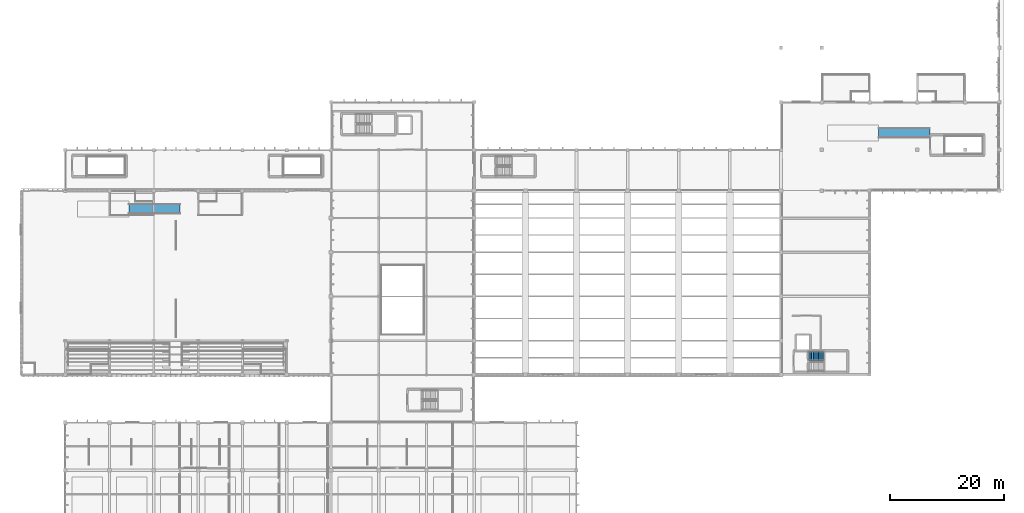
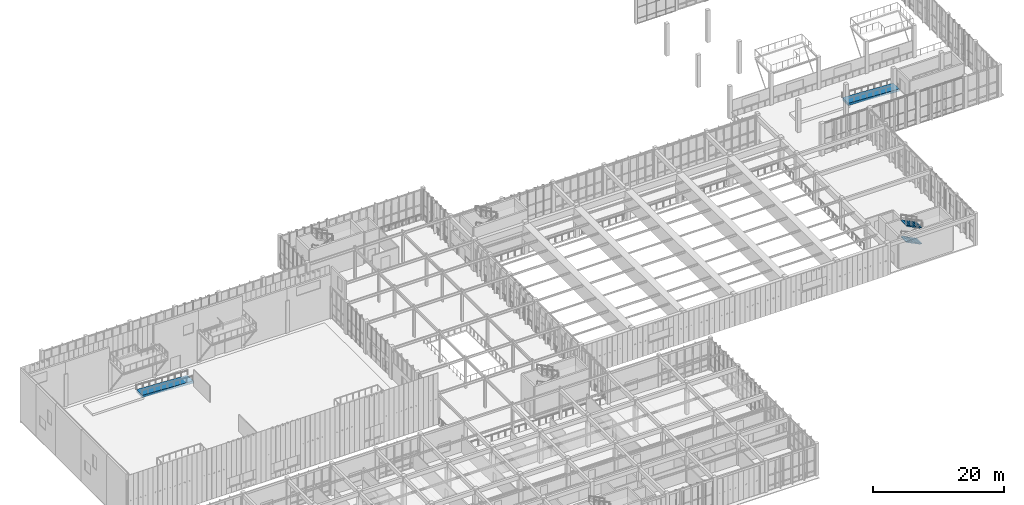
# One storey, part 79 of 105: 2 ramp flights, 2 stair flights, 3 elements without a shape of their own.
"""IFC4 building model written with IfcOpenShell, lengths in metres."""

from ifc_helpers import new_model, si_unit, direction, frame, origin, place, context, subcontext, project, spatial, polyline, outline, extrude, material, layer, layer_set, type_object, element, aggregate, save


model = new_model("IFC4")

# Units and contexts
model_context = context("Model", 3, precision=1e-05, world=origin(), true_north=direction((0.0, 1.0)))
body_context = subcontext(model_context, "Body", "Model", "MODEL_VIEW")
ifc_project = project(units=[si_unit("LENGTHUNIT", "METRE"), si_unit("AREAUNIT", "SQUARE_METRE"), si_unit("VOLUMEUNIT", "CUBIC_METRE"), si_unit("PLANEANGLEUNIT", "RADIAN"), si_unit("MASSUNIT", "GRAM", prefix="KILO")], contexts=[model_context])

# Site, building, storey
site_placement = place(None, origin())
site = spatial("IfcSite", under=ifc_project, at=site_placement, CompositionType="ELEMENT")
building_placement = place(site_placement, origin())
building = spatial("IfcBuilding", under=site, at=building_placement, Name="Tizgana Railside Sports Hall", CompositionType="ELEMENT")
storey_placement = place(building_placement, frame((0.0, 0.0, 6.0)))
storey = spatial("IfcBuildingStorey", under=building, at=storey_placement, Name="L01", CompositionType="ELEMENT", Elevation=6.0)

# Stair, stair flights
ifc_material = material(Name="Concrete C35/45", Category="concrete")
stair_type = type_object("IfcStairType", Name="Core Protected Stair 1500", PredefinedType="HALF_TURN_STAIR", material=ifc_material)
stair_placement = place(storey_placement, origin())
stair = element("IfcStair", 1, at=stair_placement, inside=storey, type_object=stair_type, Name="L01 Core Stair ST-05", PredefinedType="HALF_TURN_STAIR")
stair_flight_type = type_object("IfcStairFlightType", Name="Core Stair Flight 1500", PredefinedType="STRAIGHT", material=ifc_material)
stair_flight_1_placement = place(storey_placement, frame((141.300048828125, 44.074951171875, 1.5), z_axis=(0.0, 0.0, 1.0), x_axis=(-1.0, 0.0, 0.0)))
stair_flight_1 = element("IfcStairFlight", 2, at=stair_flight_1_placement, type_object=stair_flight_type, Name="ST-05 flight 2", NumberOfRisers=10, NumberOfTreads=9, PredefinedType="STRAIGHT", RiserHeight=0.15, TreadLength=0.3, context=body_context, shape_type="SweptSolid", body=[
    extrude(outline(polyline([(0.0, 0.0), (0.0, 0.14990234375), (0.300048828125, 0.14990234375), (0.300048828125, 0.300048828125), (0.60009765625, 0.300048828125), (0.60009765625, 0.449951171875), (0.89990234375, 0.449951171875), (0.89990234375, 0.60009765625), (1.199951171875, 0.60009765625), (1.199951171875, 0.75), (1.5, 0.75), (1.5, 0.89990234375), (1.800048828125, 0.89990234375), (1.800048828125, 1.050048828125), (2.10009765625, 1.050048828125), (2.10009765625, 1.199951171875), (2.39990234375, 1.199951171875), (2.39990234375, 1.35009765625), (2.699951171875, 1.35009765625), (2.699951171875, 1.5), (2.699951171875, 1.182373046875), (0.335205078125, 0.0), (0.0, 0.0)])), frame((0.0, 0.824951171875, 0.0), z_axis=(0.0, -1.0, 0.0), x_axis=(1.0, 0.0, 0.0)), (0.0, 0.0, 1.0), 1.64990234375),
])
stair_flight_2_placement = place(storey_placement, frame((141.300048828125, 44.074951171875, 4.5), z_axis=(0.0, 0.0, 1.0), x_axis=(-1.0, 0.0, 0.0)))
stair_flight_2 = element("IfcStairFlight", 3, at=stair_flight_2_placement, type_object=stair_flight_type, Name="ST-05 flight 4", NumberOfRisers=10, NumberOfTreads=9, PredefinedType="STRAIGHT", RiserHeight=0.15, TreadLength=0.3, context=body_context, shape_type="SweptSolid", body=[
    extrude(outline(polyline([(0.0, 0.0), (0.0, 0.14990234375), (0.300048828125, 0.14990234375), (0.300048828125, 0.300048828125), (0.60009765625, 0.300048828125), (0.60009765625, 0.449951171875), (0.89990234375, 0.449951171875), (0.89990234375, 0.60009765625), (1.199951171875, 0.60009765625), (1.199951171875, 0.75), (1.5, 0.75), (1.5, 0.89990234375), (1.800048828125, 0.89990234375), (1.800048828125, 1.050048828125), (2.10009765625, 1.050048828125), (2.10009765625, 1.199951171875), (2.39990234375, 1.199951171875), (2.39990234375, 1.35009765625), (2.699951171875, 1.35009765625), (2.699951171875, 1.5), (2.699951171875, 1.182373046875), (0.335205078125, 0.0), (0.0, 0.0)])), frame((0.0, 0.824951171875, 0.0), z_axis=(0.0, -1.0, 0.0), x_axis=(1.0, 0.0, 0.0)), (0.0, 0.0, 1.0), 1.64990234375),
])
aggregate(stair, [stair_flight_1, stair_flight_2])

# Ramp, ramp flight
ramp_type = type_object("IfcRampType", Name="Accessible Foyer Ramp 1800", PredefinedType="STRAIGHT_RUN_RAMP", material=ifc_material)
ramp_1_placement = place(storey_placement, origin())
ramp_1 = element("IfcRamp", 4, at=ramp_1_placement, inside=storey, type_object=ramp_type, Name="L01 Accessible Ramp 2", PredefinedType="STRAIGHT_RUN_RAMP")
ifc_layer = layer(ifc_material, 0.219970703125, Name="Concrete C35/45")
ifc_layer_set = layer_set([ifc_layer], Name="Concrete C35/45")
ramp_flight_type = type_object("IfcRampFlightType", Name="Accessible Ramp Flight 1800", PredefinedType="STRAIGHT", material=ifc_layer_set)
ramp_flight_1_placement = place(storey_placement, frame((28.0, 70.0, 0.0), z_axis=(0.0, 0.0, 1.0), x_axis=(-1.0, 0.0, 0.0)))
ramp_flight_1 = element("IfcRampFlight", 5, at=ramp_flight_1_placement, type_object=ramp_flight_type, Name="L01 Accessible Ramp Flight 2", PredefinedType="STRAIGHT", context=body_context, shape_type="SweptSolid", body=[
    extrude(outline(polyline([(0.0, 0.0), (9.0, 0.449951171875), (9.0, 0.0), (0.0, -0.449951171875), (0.0, 0.0)])), frame((0.0, 0.89990234375, 0.0), z_axis=(0.0, -1.0, 0.0), x_axis=(1.0, 0.0, 0.0)), (0.0, 0.0, 1.0), 1.800048828125),
])
aggregate(ramp_1, [ramp_flight_1])

ramp_2_placement = place(storey_placement, origin())
ramp_2 = element("IfcRamp", 6, at=ramp_2_placement, inside=storey, type_object=ramp_type, Name="L01 Accessible Ramp 5", PredefinedType="STRAIGHT_RUN_RAMP")
ramp_flight_2_placement = place(storey_placement, frame((160.0, 83.39990234375, 0.0), z_axis=(0.0, 0.0, 1.0), x_axis=(-1.0, 0.0, 0.0)))
ramp_flight_2 = element("IfcRampFlight", 7, at=ramp_flight_2_placement, type_object=ramp_flight_type, Name="L01 Accessible Ramp Flight 5", PredefinedType="STRAIGHT", context=body_context, shape_type="SweptSolid", body=[
    extrude(outline(polyline([(0.0, 0.0), (9.0, 0.449951171875), (9.0, 0.0), (0.0, -0.449951171875), (0.0, 0.0)])), frame((0.0, 0.89990234375, 0.0), z_axis=(0.0, -1.0, 0.0), x_axis=(1.0, 0.0, 0.0)), (0.0, 0.0, 1.0), 1.800048828125),
])
aggregate(ramp_2, [ramp_flight_2])

save(model, "model.ifc")
